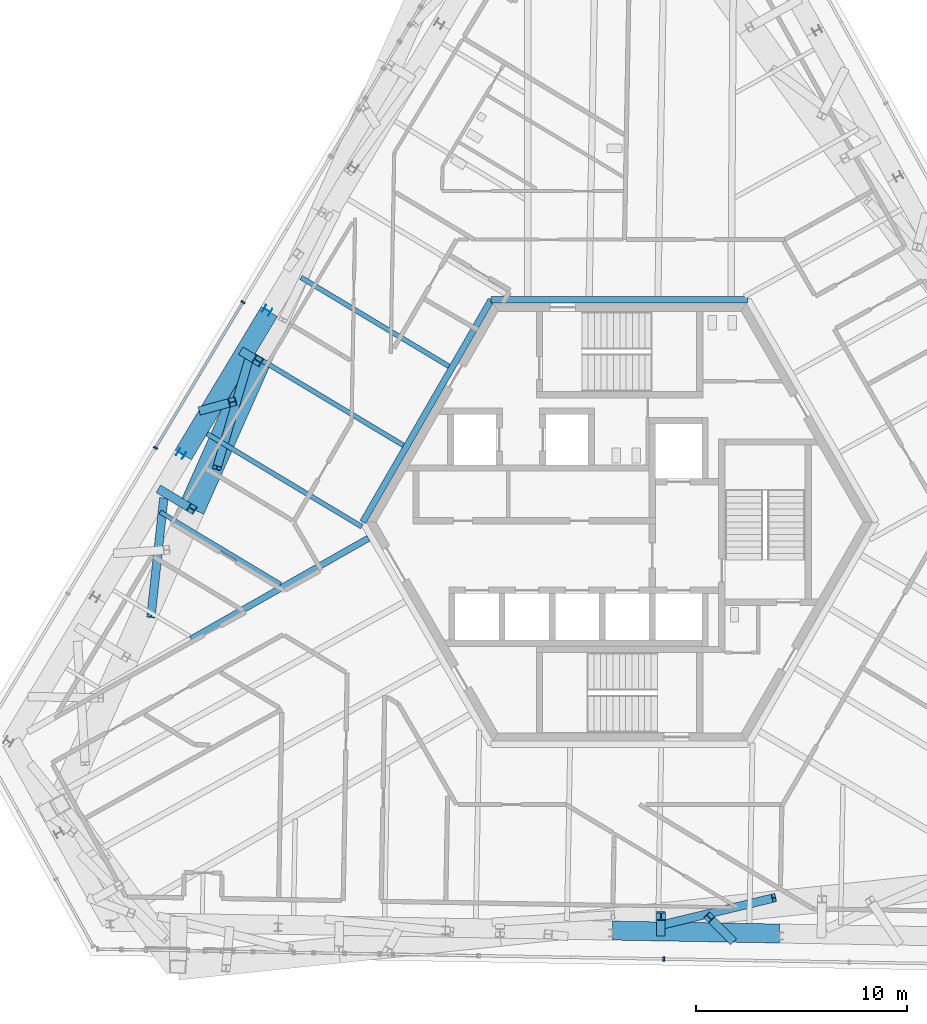
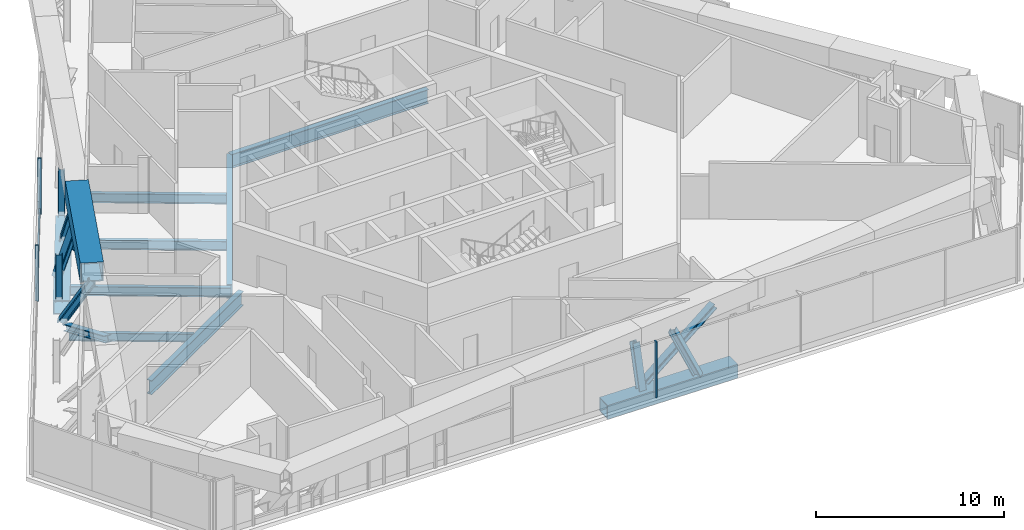
# One storey, part 3 of 28: 17 members, 7 beams, 2 elements without a shape of their own.
"""IFC4 building model written with IfcOpenShell, lengths in metres."""

from ifc_helpers import new_model, si_unit, direction, frame, origin, origin_2d, place, context, subcontext, project, spatial, rectangle, hollow_rectangle, i_section, extrude, source, transform, mapped, material, material_profile, profile_set, type_object, element, aggregate, save


model = new_model("IFC4")

# Units and contexts
model_context = context("Model", 3, precision=1e-05, world=origin(), true_north=direction((0.0, 1.0)))
body_context = subcontext(model_context, "Body", "Model", "MODEL_VIEW")
ifc_project = project(units=[si_unit("LENGTHUNIT", "METRE"), si_unit("AREAUNIT", "SQUARE_METRE"), si_unit("VOLUMEUNIT", "CUBIC_METRE"), si_unit("PLANEANGLEUNIT", "RADIAN"), si_unit("MASSUNIT", "GRAM", prefix="KILO")], contexts=[model_context])

# Site, building, storey
site_placement = place(None, origin())
site = spatial("IfcSite", under=ifc_project, at=site_placement, CompositionType="ELEMENT")
building_placement = place(site_placement, origin())
building = spatial("IfcBuilding", under=site, at=building_placement, Name="Triune Harvest Tower", CompositionType="ELEMENT")
storey_placement = place(building_placement, frame((0.0, 0.0, 215.89990234375)))
storey = spatial("IfcBuildingStorey", under=building, at=storey_placement, Name="L56", CompositionType="ELEMENT", Elevation=215.89990234375)

# Beams
ifc_material_1 = material(Name="Steel ASTM A992 Gr 50", Category="steel")
ifc_material_profile_1 = material_profile(ifc_material_1, i_section(OverallWidth=0.22900390625, OverallDepth=0.612060546875, WebThickness=0.011962890625, FlangeThickness=0.01953125, at=origin_2d()), Name="W24x84")
ifc_profile_set_1 = profile_set([ifc_material_profile_1], Name="Steel ASTM A992 Gr 50")
beam_type_1 = type_object("IfcBeamType", Name="JT-3 Floor joist W24x84", PredefinedType="JOIST", material=ifc_profile_set_1)
beam_1_placement = place(storey_placement, frame((-15.1083984375, 11.60009765625, -0.555908203125), z_axis=(0.857169168979, -0.515034965562, 0.0), x_axis=(0.515034965562, 0.857169168979, 0.0)))
element("IfcBeam", 1, at=beam_1_placement, inside=storey, type_object=beam_type_1, Name="beam/L56/JT17", PredefinedType="JOIST", context=body_context, shape_type="SweptSolid", body=[
    extrude(i_section(OverallWidth=0.22900390625, OverallDepth=0.612060546875, WebThickness=0.011962890625, FlangeThickness=0.01953125, at=origin_2d()), origin(), (0.0, 0.0, 1.0), 8.188232421875),
])
beam_2_placement = place(storey_placement, frame((-19.562255859375, 4.1875, -0.555908203125), z_axis=(0.857175716622, -0.515024068208, 0.0), x_axis=(0.515024068208, 0.857175716622, 0.0)))
element("IfcBeam", 2, at=beam_2_placement, inside=storey, type_object=beam_type_1, Name="beam/L56/JT19", PredefinedType="JOIST", context=body_context, shape_type="SweptSolid", body=[
    extrude(i_section(OverallWidth=0.22900390625, OverallDepth=0.612060546875, WebThickness=0.011962890625, FlangeThickness=0.01953125, at=origin_2d()), origin(), (0.0, 0.0, 1.0), 8.56103515625),
])

# Member
ifc_material_2 = material(Name="Steel ASTM A992 Gr 50", Category="steel")
ifc_material_profile_2 = material_profile(ifc_material_2, i_section(OverallWidth=0.40380859375, OverallDepth=0.406494140625, WebThickness=0.027099609375, FlangeThickness=0.043701171875, at=origin_2d()), Name="W14x233")
ifc_profile_set_2 = profile_set([ifc_material_profile_2], Name="Steel ASTM A992 Gr 50")
member_type_1 = type_object("IfcMemberType", Name="TD-3 Belt truss diagonal W14x233", PredefinedType="BRACE", material=ifc_profile_set_2)
member_1_placement = place(storey_placement, frame((-21.619873046875, 1.054443359375, -0.324951171875), z_axis=(-0.096668711878, -0.890032469186, 0.445530429869), x_axis=(0.994153332995, -0.107977546255, 0.0)))
element("IfcMember", 3, at=member_1_placement, inside=storey, type_object=member_type_1, Name="truss/L56/TD25", PredefinedType="BRACE", context=body_context, shape_type="SweptSolid", body=[
    extrude(i_section(OverallWidth=0.40380859375, OverallDepth=0.406494140625, WebThickness=0.027099609375, FlangeThickness=0.043701171875, at=origin_2d()), origin(), (0.0, 0.0, 1.0), 6.17236328125),
])

# Beams
ifc_material_3 = material(Name="Steel ASTM A992 Gr 50", Category="steel")
ifc_material_profile_3 = material_profile(ifc_material_3, i_section(OverallWidth=0.3046875, OverallDepth=0.914306640625, WebThickness=0.0166015625, FlangeThickness=0.02587890625, at=origin_2d()), Name="W36x160")
ifc_profile_set_3 = profile_set([ifc_material_profile_3], Name="Steel ASTM A992 Gr 50")
beam_type_2 = type_object("IfcBeamType", Name="CG-1 Core ring girder W36x160", PredefinedType="BEAM", material=ifc_profile_set_3)
shared_shape_1 = source(origin(), body_context, "Body", "SweptSolid", [
    extrude(i_section(OverallWidth=0.3046875, OverallDepth=0.914306640625, WebThickness=0.0166015625, FlangeThickness=0.02587890625, at=origin_2d()), origin(), (0.0, 0.0, 1.0), 12.176025390625),
])
beam_3_placement = place(storey_placement, frame((-6.087890625, 10.544677734375, -0.70703125), z_axis=(-0.5000099932, -0.866019634131, 0.0), x_axis=(0.866019634131, -0.5000099932, 0.0)))
element("IfcBeam", 4, at=beam_3_placement, inside=storey, type_object=beam_type_2, Name="beam/L56/CG3", PredefinedType="BEAM", context=body_context, shape_type="MappedRepresentation", body=[
    mapped(shared_shape_1, transform((0.0, 0.0, 0.0), scale=1.0)),
])
shared_shape_2 = source(origin(), body_context, "Body", "SweptSolid", [
    extrude(i_section(OverallWidth=0.3046875, OverallDepth=0.914306640625, WebThickness=0.0166015625, FlangeThickness=0.02587890625, at=origin_2d()), origin(), (0.0, 0.0, 1.0), 12.17578125),
])
beam_4_placement = place(storey_placement, frame((6.087890625, 10.544677734375, -0.70703125), z_axis=(-1.0, 0.0, 0.0), x_axis=(0.0, -1.0, 0.0)))
element("IfcBeam", 5, at=beam_4_placement, inside=storey, type_object=beam_type_2, Name="beam/L56/CG2", PredefinedType="BEAM", context=body_context, shape_type="MappedRepresentation", body=[
    mapped(shared_shape_2, transform((0.0, 0.0, 0.0), scale=1.0)),
])
ifc_material_4 = material(Name="Steel ASTM A992 Gr 50", Category="steel")
ifc_material_profile_4 = material_profile(ifc_material_4, i_section(OverallWidth=0.307373046875, OverallDepth=0.922119140625, WebThickness=0.018310546875, FlangeThickness=0.030029296875, at=origin_2d()), Name="W36x182")
ifc_profile_set_4 = profile_set([ifc_material_profile_4], Name="Steel ASTM A992 Gr 50")
beam_type_3 = type_object("IfcBeamType", Name="HG-2 Hip girder W36x182", PredefinedType="BEAM", material=ifc_profile_set_4)
shared_shape_3 = source(origin(), body_context, "Body", "SweptSolid", [
    extrude(i_section(OverallWidth=0.307373046875, OverallDepth=0.922119140625, WebThickness=0.018310546875, FlangeThickness=0.030029296875, at=origin_2d()), origin(), (0.0, 0.0, 1.0), 9.672119140625),
])
beam_5_placement = place(storey_placement, frame((-20.31591796875, -5.549560546875, -0.7109375), z_axis=(0.869255664029, 0.494362812673, 0.0), x_axis=(-0.494362812673, 0.869255664029, 0.0)))
element("IfcBeam", 6, at=beam_5_placement, inside=storey, type_object=beam_type_3, Name="beam/L56/HG6", PredefinedType="BEAM", context=body_context, shape_type="MappedRepresentation", body=[
    mapped(shared_shape_3, transform((0.0, 0.0, 0.0), scale=1.0)),
])
shared_shape_4 = source(origin(), body_context, "Body", "SweptSolid", [
    extrude(i_section(OverallWidth=0.22900390625, OverallDepth=0.612060546875, WebThickness=0.011962890625, FlangeThickness=0.01953125, at=origin_2d()), origin(), (0.0, 0.0, 1.0), 8.263916015625),
])
beam_6_placement = place(storey_placement, frame((-17.335205078125, 7.893798828125, -0.555908203125), z_axis=(0.857172126446, -0.515030043439, 0.0), x_axis=(0.515030043439, 0.857172126446, 0.0)))
element("IfcBeam", 7, at=beam_6_placement, inside=storey, type_object=beam_type_1, Name="beam/L56/JT18", PredefinedType="JOIST", context=body_context, shape_type="MappedRepresentation", body=[
    mapped(shared_shape_4, transform((0.0, 0.0, 0.0), scale=1.0)),
])
ifc_material_5 = material(Name="Steel ASTM A992 Gr 50", Category="steel")
ifc_material_profile_5 = material_profile(ifc_material_5, i_section(OverallWidth=0.2099609375, OverallDepth=0.535888671875, WebThickness=0.010986328125, FlangeThickness=0.017333984375, at=origin_2d()), Name="W21x68")
ifc_profile_set_5 = profile_set([ifc_material_profile_5], Name="Steel ASTM A992 Gr 50")
beam_type_4 = type_object("IfcBeamType", Name="JT-2 Floor joist W21x68", PredefinedType="JOIST", material=ifc_profile_set_5)
shared_shape_5 = source(origin(), body_context, "Body", "SweptSolid", [
    extrude(i_section(OverallWidth=0.2099609375, OverallDepth=0.535888671875, WebThickness=0.010986328125, FlangeThickness=0.017333984375, at=origin_2d()), origin(), (0.0, 0.0, 1.0), 6.675048828125),
])
beam_7_placement = place(storey_placement, frame((-21.789306640625, 0.481201171875, -0.517822265625), z_axis=(0.857163578329, -0.515044269928, 0.0), x_axis=(0.515044269928, 0.857163578329, 0.0)))
element("IfcBeam", 8, at=beam_7_placement, inside=storey, type_object=beam_type_4, Name="beam/L56/JT20", PredefinedType="JOIST", context=body_context, shape_type="MappedRepresentation", body=[
    mapped(shared_shape_5, transform((0.0, 0.0, 0.0), scale=1.0)),
])

# Members
ifc_material_6 = material(Name="Steel ASTM A992 Gr 50", Category="steel")
ifc_material_profile_6 = material_profile(ifc_material_6, i_section(OverallWidth=0.370849609375, OverallDepth=0.36328125, WebThickness=0.013427734375, FlangeThickness=0.021728515625, at=origin_2d()), Name="W14x109")
ifc_profile_set_6 = profile_set([ifc_material_profile_6], Name="Steel ASTM A992 Gr 50")
member_type_2 = type_object("IfcMemberType", Name="WP-5 Roof edge post W14x109", PredefinedType="POST", material=ifc_profile_set_6)
shared_shape_6 = source(origin(), body_context, "Body", "SweptSolid", [
    extrude(i_section(OverallWidth=0.370849609375, OverallDepth=0.36328125, WebThickness=0.013427734375, FlangeThickness=0.021728515625, at=origin_2d()), origin(), (0.0, 0.0, 1.0), 2.9755859375),
])
for number, where, z_axis, x_axis, name in (
    (9, (-16.71044921875, 10.04052734375, -0.25), (0.0, 0.0, 1.0), (-0.51503657887, -0.857168199612, 0.0), "post/L56/W11"),
    (10, (-20.793212890625, 3.24560546875, -0.25), (0.0, 0.0, 1.0), (-0.51503657887, -0.857168199612, 0.0), "post/L56/W12"),
):
    element("IfcMember", number, at=place(storey_placement, frame(where, z_axis=z_axis, x_axis=x_axis)), inside=storey, type_object=member_type_2, Name=name, PredefinedType="POST", context=body_context, shape_type="MappedRepresentation", body=[
        mapped(shared_shape_6, transform((0.0, 0.0, 0.0), scale=1.0)),
    ])
ifc_material_7 = material(Name="Steel ASTM A572 Gr 50", Category="steel")
ifc_material_profile_7 = material_profile(ifc_material_7, hollow_rectangle(XDim=0.89990234375, YDim=0.89990234375, WallThickness=0.050048828125, at=origin_2d()), Name="Box 900x900x50")
ifc_profile_set_7 = profile_set([ifc_material_profile_7], Name="Steel ASTM A572 Gr 50")
member_type_3 = type_object("IfcMemberType", Name="TC-2 Belt truss chord Box 900x900x50", PredefinedType="CHORD", material=ifc_profile_set_7)
shared_shape_7 = source(origin(), body_context, "Body", "SweptSolid", [
    extrude(hollow_rectangle(XDim=0.89990234375, YDim=0.89990234375, WallThickness=0.050048828125, at=origin_2d()), origin(), (0.0, 0.0, 1.0), 7.92724609375),
])
for number, where, z_axis, x_axis, name in (
    (11, (-16.607421875, 9.978759765625, -0.699951171875), (-0.515057246398, -0.857155781018, 0.0), (0.857155781018, -0.515057246398, 0.0), "truss/L56/TCB12"),
    (12, (-0.338134765625, -19.3720703125, -0.699951171875), (0.999847522428, -0.017462299252, 0.0), (0.017462299252, 0.999847522428, 0.0), "truss/L56/TCB20"),
):
    element("IfcMember", number, at=place(storey_placement, frame(where, z_axis=z_axis, x_axis=x_axis)), inside=storey, type_object=member_type_3, Name=name, PredefinedType="CHORD", context=body_context, shape_type="MappedRepresentation", body=[
        mapped(shared_shape_7, transform((0.0, 0.0, 0.0), scale=1.0)),
    ])
ifc_material_8 = material(Name="Steel ASTM A572 Gr 50", Category="steel")
ifc_material_profile_8 = material_profile(ifc_material_8, hollow_rectangle(XDim=1.25, YDim=1.25, WallThickness=0.070068359375, at=origin_2d()), Name="Box 1250x1250x70")
ifc_profile_set_8 = profile_set([ifc_material_profile_8], Name="Steel ASTM A572 Gr 50")
member_type_4 = type_object("IfcMemberType", Name="TC-1 Belt truss chord Box 1250x1250x70", PredefinedType="CHORD", material=ifc_profile_set_8)
shared_shape_8 = source(origin(), body_context, "Body", "SweptSolid", [
    extrude(hollow_rectangle(XDim=1.25, YDim=1.25, WallThickness=0.070068359375, at=origin_2d()), origin(), (0.0, 0.0, 1.0), 7.679443359375),
])
member_2_placement = place(storey_placement, frame((-17.163818359375, 7.641845703125, 3.01513671875), z_axis=(-0.406707683145, -0.913558350884, 0.0), x_axis=(0.913558350884, -0.406707683145, 0.0)))
element("IfcMember", 13, at=member_2_placement, inside=storey, type_object=member_type_4, Name="truss/L56/TCT12", PredefinedType="CHORD", context=body_context, shape_type="MappedRepresentation", body=[
    mapped(shared_shape_8, transform((0.0, 0.0, 0.0), scale=1.0)),
])
ifc_material_9 = material(Name="Steel ASTM A992 Gr 50", Category="steel")
ifc_material_profile_9 = material_profile(ifc_material_9, i_section(OverallWidth=0.411376953125, OverallDepth=0.434326171875, WebThickness=0.035888671875, FlangeThickness=0.057373046875, at=origin_2d()), Name="W14x311")
ifc_profile_set_9 = profile_set([ifc_material_profile_9], Name="Steel ASTM A992 Gr 50")
member_type_5 = type_object("IfcMemberType", Name="TV-1 Belt truss strut W14x311", PredefinedType="STRUT", material=ifc_profile_set_9)
shared_shape_9 = source(origin(), body_context, "Body", "SweptSolid", [
    extrude(i_section(OverallWidth=0.411376953125, OverallDepth=0.434326171875, WebThickness=0.035888671875, FlangeThickness=0.057373046875, at=origin_2d()), origin(), (0.0, 0.0, 1.0), 2.796142578125),
])
for number, where, z_axis, x_axis, name in (
    (14, (-17.786865234375, 8.01611328125, -0.27490234375), (0.222829604871, -0.133854931139, 0.965624059665), (0.514940264612, 0.857226063464, 0.0), "truss/L56/TS12"),
    (15, (1.951171875, -19.412109375, -0.27490234375), (0.004540269852, 0.260017761882, 0.965593159387), (-0.999847584896, 0.0174587221, 0.0), "truss/L56/TS20"),
):
    element("IfcMember", number, at=place(storey_placement, frame(where, z_axis=z_axis, x_axis=x_axis)), inside=storey, type_object=member_type_5, Name=name, PredefinedType="STRUT", context=body_context, shape_type="MappedRepresentation", body=[
        mapped(shared_shape_9, transform((0.0, 0.0, 0.0), scale=1.0)),
    ])
shared_shape_10 = source(origin(), body_context, "Body", "SweptSolid", [
    extrude(i_section(OverallWidth=0.411376953125, OverallDepth=0.434326171875, WebThickness=0.035888671875, FlangeThickness=0.057373046875, at=origin_2d()), origin(), (0.0, 0.0, 1.0), 3.171142578125),
])
member_3_placement = place(storey_placement, frame((-21.712646484375, 1.482666015625, -0.27490234375), z_axis=(0.449551081666, -0.270084808098, 0.851444667262), x_axis=(0.514992215757, 0.857194853992, 0.0)))
element("IfcMember", 16, at=member_3_placement, inside=storey, type_object=member_type_5, Name="truss/L56/TS13", PredefinedType="STRUT", context=body_context, shape_type="MappedRepresentation", body=[
    mapped(shared_shape_10, transform((0.0, 0.0, 0.0), scale=1.0)),
])
shared_shape_11 = source(origin(), body_context, "Body", "SweptSolid", [
    extrude(i_section(OverallWidth=0.40380859375, OverallDepth=0.406494140625, WebThickness=0.027099609375, FlangeThickness=0.043701171875, at=origin_2d()), origin(), (0.0, 0.0, 1.0), 6.1474609375),
])
for number, where, z_axis, x_axis, name in (
    (17, (-17.536865234375, 7.849609375, -0.324951171875), (-0.253139412307, -0.857790738377, 0.44734269536), (0.959108431141, -0.283038897175, 0.0), "truss/L56/TD23"),
    (18, (1.970458984375, -19.1123046875, -0.324951171875), (0.869431583809, 0.209692982026, 0.447345028322), (-0.234461110875, 0.972125499865, 0.0), "truss/L56/TD39"),
):
    element("IfcMember", number, at=place(storey_placement, frame(where, z_axis=z_axis, x_axis=x_axis)), inside=storey, type_object=member_type_1, Name=name, PredefinedType="BRACE", context=body_context, shape_type="MappedRepresentation", body=[
        mapped(shared_shape_11, transform((0.0, 0.0, 0.0), scale=1.0)),
    ])
shared_shape_12 = source(origin(), body_context, "Body", "SweptSolid", [
    extrude(i_section(OverallWidth=0.40380859375, OverallDepth=0.406494140625, WebThickness=0.027099609375, FlangeThickness=0.043701171875, at=origin_2d()), origin(), (0.0, 0.0, 1.0), 3.1103515625),
])
for number, where, z_axis, x_axis, name in (
    (19, (-19.760986328125, 5.31298828125, -0.324951171875), (0.451093751174, 0.12174115331, 0.884134333256), (-0.260557811263, 0.96545824715, 0.0), "truss/L56/TD24"),
    (20, (5.279296875, -19.77001953125, -0.324951171875), (-0.330924630401, 0.329825734569, 0.884140189003), (-0.705929813597, -0.708281792986, 0.0), "truss/L56/TD40"),
):
    element("IfcMember", number, at=place(storey_placement, frame(where, z_axis=z_axis, x_axis=x_axis)), inside=storey, type_object=member_type_1, Name=name, PredefinedType="BRACE", context=body_context, shape_type="MappedRepresentation", body=[
        mapped(shared_shape_12, transform((0.0, 0.0, 0.0), scale=1.0)),
    ])

# Curtain wall, members
ifc_material_10 = material(Name="Aluminium bronze anodised", Category="aluminium")
curtain_wall_type = type_object("IfcCurtainWallType", Name="CW-5 Plant louvre wall", PredefinedType="NOTDEFINED", material=ifc_material_10)
curtain_wall_1_placement = place(storey_placement, origin())
curtain_wall_1 = element("IfcCurtainWall", 21, at=curtain_wall_1_placement, inside=storey, type_object=curtain_wall_type, Name="CW-5 B5-F3 L56 run 1201")
ifc_material_11 = material(Name="Aluminium bronze anodised", Category="aluminium")
ifc_material_profile_10 = material_profile(ifc_material_11, rectangle(XDim=0.199951171875, YDim=0.080078125, at=origin_2d()), Name="MU-5 mullion 80 x 200")
ifc_profile_set_10 = profile_set([ifc_material_profile_10], Name="Aluminium bronze anodised")
member_type_6 = type_object("IfcMemberType", Name="MU-5 mullion 80 x 200", PredefinedType="MULLION", material=ifc_profile_set_10)
shared_shape_13 = source(origin(), body_context, "Body", "SweptSolid", [
    extrude(rectangle(XDim=0.199951171875, YDim=0.080078125, at=origin_2d()), origin(), (0.0, 0.0, 1.0), 3.64013671875),
])
member_4_placement = place(storey_placement, frame((-17.857421875, 10.4267578125, 0.0), z_axis=(0.0, 0.0, 1.0), x_axis=(0.857169585878, -0.515034271719, 0.0)))
member_4 = element("IfcMember", 22, at=member_4_placement, type_object=member_type_6, Name="CW-5 mullion B5-F3 1201.3", PredefinedType="MULLION", context=body_context, shape_type="MappedRepresentation", body=[
    mapped(shared_shape_13, transform((0.0, 0.0, 0.0), scale=1.0)),
])
member_5_placement = place(storey_placement, frame((-22.00927734375, 3.516845703125, 0.0), z_axis=(0.0, 0.0, 1.0), x_axis=(0.857169585878, -0.515034271719, 0.0)))
member_5 = element("IfcMember", 23, at=member_5_placement, type_object=member_type_6, Name="CW-5 mullion B5-F3 1201.5", PredefinedType="MULLION", context=body_context, shape_type="MappedRepresentation", body=[
    mapped(shared_shape_13, transform((0.0, 0.0, 0.0), scale=1.0)),
])

# Curtain wall, member
curtain_wall_2_placement = place(storey_placement, origin())
curtain_wall_2 = element("IfcCurtainWall", 24, at=curtain_wall_2_placement, inside=storey, type_object=curtain_wall_type, Name="CW-5 B5-F5 L56 run 1301")
member_6_placement = place(storey_placement, frame((2.096923828125, -20.716796875, 0.0), z_axis=(0.0, 0.0, 1.0), x_axis=(0.017449877038, 0.999847739304, 0.0)))
member_6 = element("IfcMember", 25, at=member_6_placement, type_object=member_type_6, Name="CW-5 mullion B5-F5 1301.3", PredefinedType="MULLION", context=body_context, shape_type="MappedRepresentation", body=[
    mapped(shared_shape_13, transform((0.0, 0.0, 0.0), scale=1.0)),
])
aggregate(curtain_wall_2, [member_6])

# Member
ifc_material_12 = material(Name="Aluminium bronze anodised", Category="aluminium")
ifc_material_profile_11 = material_profile(ifc_material_12, rectangle(XDim=0.10009765625, YDim=0.39990234375, at=origin_2d()), Name="TR-5 transom 100 x 400")
ifc_profile_set_11 = profile_set([ifc_material_profile_11], Name="Aluminium bronze anodised")
member_type_7 = type_object("IfcMemberType", Name="TR-5 transom 100 x 400", PredefinedType="USERDEFINED", material=ifc_profile_set_11)
shared_shape_14 = source(origin(), body_context, "Body", "SweptSolid", [
    extrude(rectangle(XDim=0.10009765625, YDim=0.39990234375, at=origin_2d()), origin(), (0.0, 0.0, 1.0), 7.981201171875),
])
member_7_placement = place(storey_placement, frame((-17.878173828125, 10.392578125, 0.2001953125), z_axis=(-0.515030966803, -0.857171571643, 0.0), x_axis=(0.857171571643, -0.515030966803, 0.0)))
member_7 = element("IfcMember", 26, at=member_7_placement, type_object=member_type_7, Name="CW-5 transom B5-F3 1201.2", ObjectType="TRANSOM", PredefinedType="USERDEFINED", context=body_context, shape_type="MappedRepresentation", body=[
    mapped(shared_shape_14, transform((0.0, 0.0, 0.0), scale=1.0)),
])

aggregate(curtain_wall_1, [member_4, member_5, member_7])

save(model, "model.ifc")
